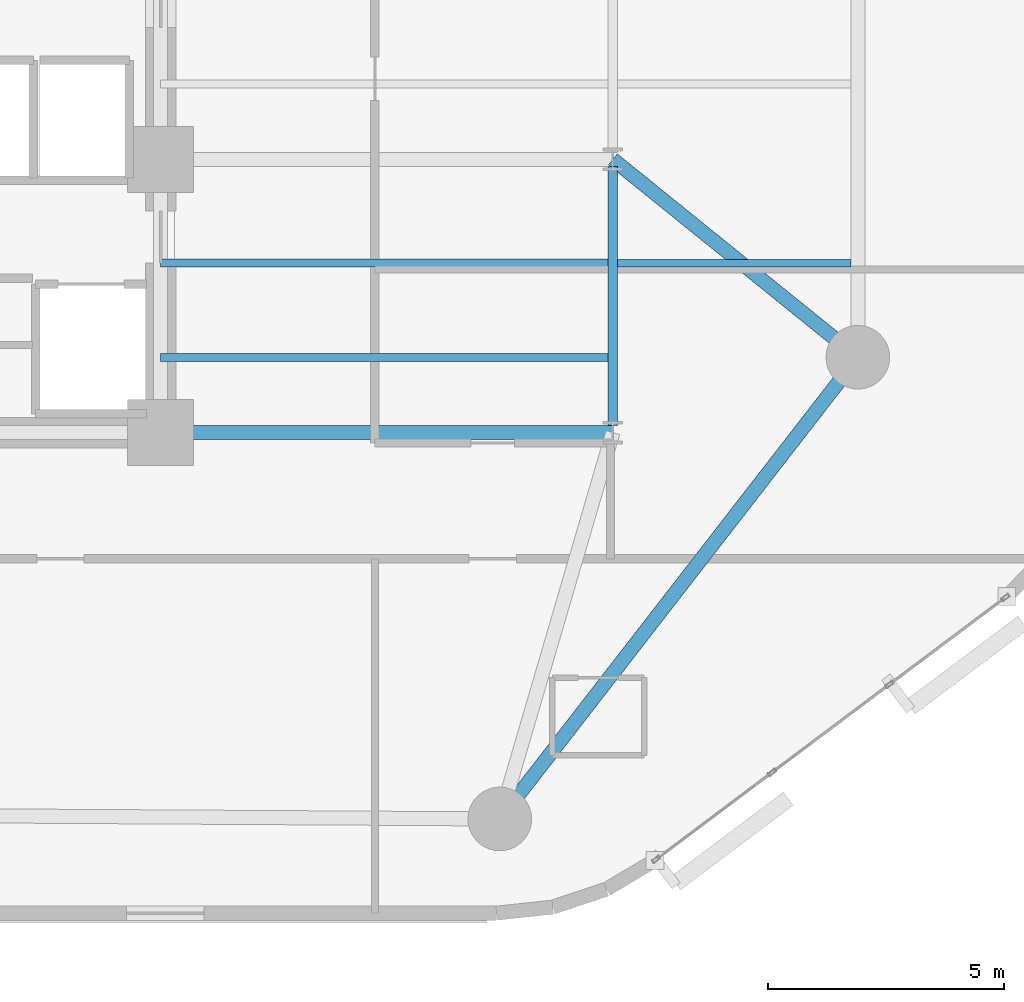
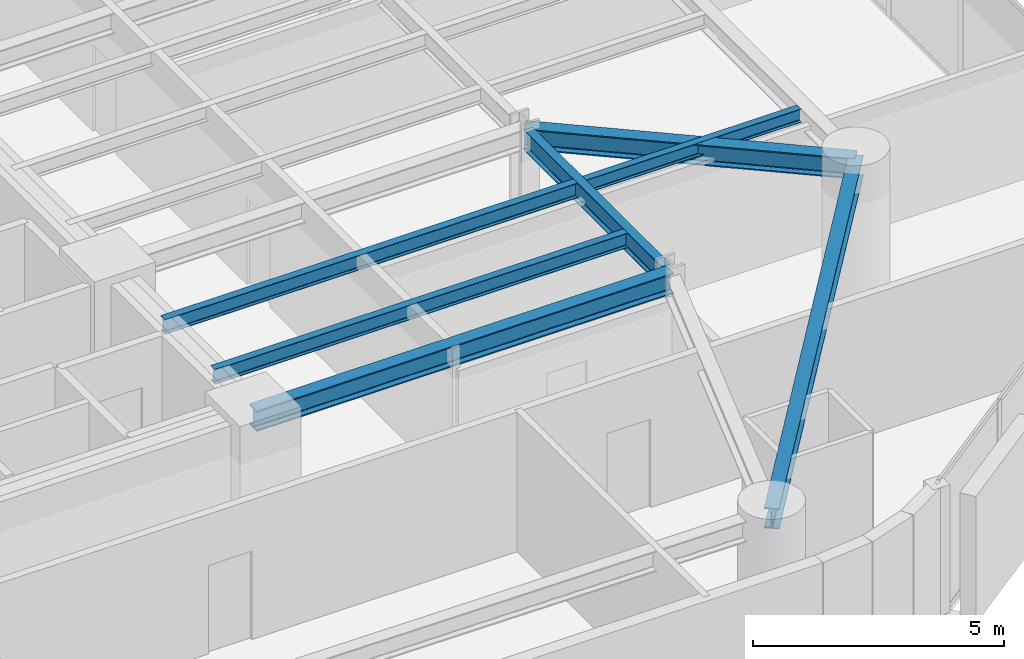
# One storey, part 3 of 15: 7 beams.
"""IFC4 building model written with IfcOpenShell, lengths in metres."""

import ifcopenshell
import ifcopenshell.guid

model = None  # the IFC model being written
_history = None  # IfcOwnerHistory: only IFC2X3 demands one
_inside = {}  # id of a spatial element -> (the spatial element, [elements in it])
_under = {}  # id of a project, library or spatial element -> (it, [spatial elements below it])
_declared = {}  # id of a project -> (the project, [libraries it declares])
_typed = {}  # id of a type object -> (the type object, [elements of that type])
_made_of = {}  # id of a material, layer set ... -> (it, [elements and type objects made of it])


def new_model(schema):
    """Start an empty IFC model of exactly this schema.

    Asked for "IFC4X3", IfcOpenShell would pick the latest addendum, in which some entities
    have other attributes; the version numbers below select the first issue.
    IFC2X3 requires an IfcOwnerHistory on every rooted entity: one is made here for all.
    """
    global model, _history
    if schema == "IFC4X3":
        model = ifcopenshell.file(schema_version=(4, 3, 0, 0))
    else:
        model = ifcopenshell.file(schema=schema)
    _inside.clear()
    _under.clear()
    _declared.clear()
    _typed.clear()
    _made_of.clear()
    _history = None
    if model.schema == "IFC2X3":
        org = make("IfcOrganization", Name="unknown")
        user = make(
            "IfcPersonAndOrganization",
            ThePerson=make("IfcPerson", FamilyName="unknown"),
            TheOrganization=org,
        )
        app = make(
            "IfcApplication",
            ApplicationDeveloper=org,
            Version="unknown",
            ApplicationFullName="unknown",
            ApplicationIdentifier="unknown",
        )
        _history = make(
            "IfcOwnerHistory",
            OwningUser=user,
            OwningApplication=app,
            ChangeAction="ADDED",
            CreationDate=0,
        )
    return model


def make(cls, **values):
    """One entity of the class cls with the attributes given. An attribute that is None is left unset."""
    return model.create_entity(
        cls, **{name: value for name, value in values.items() if value is not None}
    )


def rooted(cls, **values):
    """An entity with a GlobalId (a new one), such as an element, a storey or a relation."""
    return make(cls, GlobalId=ifcopenshell.guid.new(), OwnerHistory=_history, **values)


def si_unit(unit_type, name, prefix=None):
    """IfcSIUnit, for example si_unit("LENGTHUNIT", "METRE", prefix="MILLI")."""
    return make("IfcSIUnit", UnitType=unit_type, Prefix=prefix, Name=name)


def assignment(units):
    """IfcUnitAssignment: the units of a project."""
    return None if units is None else make("IfcUnitAssignment", Units=units)


def point(xyz):
    """IfcCartesianPoint."""
    return None if xyz is None else make("IfcCartesianPoint", Coordinates=xyz)


def direction(xyz):
    """IfcDirection."""
    return None if xyz is None else make("IfcDirection", DirectionRatios=xyz)


def frame(location, z_axis=None, x_axis=None):
    """IfcAxis2Placement3D, a coordinate frame: its origin and axes. An axis left out is left unset."""
    return make(
        "IfcAxis2Placement3D",
        Location=point(location),
        Axis=direction(z_axis),
        RefDirection=direction(x_axis),
    )


def frame_2d(location, x_axis=None):
    """IfcAxis2Placement2D, a coordinate frame in the plane: its origin and x axis."""
    return make(
        "IfcAxis2Placement2D", Location=point(location), RefDirection=direction(x_axis)
    )


def origin():
    """The frame at (0, 0, 0) with its axes left unset."""
    return frame((0.0, 0.0, 0.0))


def origin_2d():
    """The frame at (0, 0) in the plane with its x axis left unset."""
    return frame_2d((0.0, 0.0))


def place(relative_to, where):
    """IfcLocalPlacement: puts the frame where relative to a parent placement (None: the world)."""
    return make(
        "IfcLocalPlacement", PlacementRelTo=relative_to, RelativePlacement=where
    )


def context(
    kind, dimensions, precision=None, world=None, true_north=None, identifier=None
):
    """IfcGeometricRepresentationContext, for example the 3D "Model" context."""
    return make(
        "IfcGeometricRepresentationContext",
        ContextIdentifier=identifier,
        ContextType=kind,
        CoordinateSpaceDimension=dimensions,
        Precision=precision,
        WorldCoordinateSystem=world,
        TrueNorth=true_north,
    )


def subcontext(parent, identifier, kind, view, scale=None):
    """IfcGeometricRepresentationSubContext, for example "Body" below "Model"."""
    return make(
        "IfcGeometricRepresentationSubContext",
        ContextIdentifier=identifier,
        ContextType=kind,
        ParentContext=parent,
        TargetScale=scale,
        TargetView=view,
    )


def project(units=None, contexts=None):
    """IfcProject with its units and contexts."""
    return rooted(
        "IfcProject",
        Name="project",
        RepresentationContexts=contexts,
        UnitsInContext=assignment(units),
    )


def spatial(cls, under=None, at=None, **own):
    """A site, building, storey or space (cls), placed at a placement, below another one or the project."""
    s = rooted(cls, ObjectPlacement=at, **own)
    if under is not None:
        _under.setdefault(under.id(), (under, []))[1].append(s)
    return s


def profile(cls, at=None, kind="AREA", **sizes):
    """A parametric profile (cls). Its sizes go by their IFC names, for example OverallWidth=200.0."""
    return make(cls, ProfileType=kind, Position=at, **sizes)


def i_section(**sizes):
    """IfcIShapeProfileDef."""
    return profile("IfcIShapeProfileDef", **sizes)


def extrude(swept, where, along, depth):
    """IfcExtrudedAreaSolid: the profile swept, set in the frame where, extruded along a direction by depth."""
    return make(
        "IfcExtrudedAreaSolid",
        SweptArea=swept,
        Position=where,
        ExtrudedDirection=direction(along),
        Depth=depth,
    )


def shape(context_of_items, identifier, shape_type, items):
    """IfcShapeRepresentation: the items that make up one representation, for example the "Body"."""
    return make(
        "IfcShapeRepresentation",
        ContextOfItems=context_of_items,
        RepresentationIdentifier=identifier,
        RepresentationType=shape_type,
        Items=items,
    )


def material(Name=None, Category=None):
    """IfcMaterial."""
    return make("IfcMaterial", Name=Name, Category=Category)


def material_profile(
    of_material, cross_section, Name=None, Category=None, Priority=None
):
    """IfcMaterialProfile: a cross section and its material."""
    return make(
        "IfcMaterialProfile",
        Name=Name,
        Material=of_material,
        Profile=cross_section,
        Priority=Priority,
        Category=Category,
    )


def profile_set(profiles, Name=None, composite=None):
    """IfcMaterialProfileSet."""
    return make(
        "IfcMaterialProfileSet",
        Name=Name,
        MaterialProfiles=profiles,
        CompositeProfile=composite,
    )


def made_of(thing, what):
    """Note that an element or type object is made of a material, layer set ...; save() writes the relation."""
    if what is not None:
        _made_of.setdefault(what.id(), (what, []))[1].append(thing)
    return thing


def type_object(cls, material=None, **own):
    """A type object (cls), such as IfcWallType, which elements share."""
    return made_of(rooted(cls, **own), material)


def element(
    cls,
    number,
    at=None,
    inside=None,
    cuts=None,
    type_object=None,
    material=None,
    context=None,
    identifier="Body",
    shape_type=None,
    held_by="IfcProductDefinitionShape",
    body=None,
    shapes=None,
    **own,
):
    """One element of the class cls, such as IfcWall. Its Tag is "e" and its number.

    at: its placement. inside: the storey or other place that contains it. cuts: it is an
    opening in that element (IfcRelVoidsElement). A single representation is given by context,
    identifier, shape_type and body (its items); several are given by shapes. held_by: the class
    of the entity that holds the representations. save() writes the other relations.
    """
    e = rooted(cls, Tag="e%d" % number, ObjectPlacement=at, **own)
    if body is not None:
        shapes = [shape(context, identifier, shape_type, body)]
    if shapes is not None:
        e.Representation = make(held_by, Representations=shapes)
    if inside is not None:
        _inside.setdefault(inside.id(), (inside, []))[1].append(e)
    if cuts is not None:
        rooted(
            "IfcRelVoidsElement", RelatingBuildingElement=cuts, RelatedOpeningElement=e
        )
    if type_object is not None:
        _typed.setdefault(type_object.id(), (type_object, []))[1].append(e)
    return made_of(e, material)


def aggregate(whole, parts):
    """IfcRelAggregates: a whole, such as a stair, and the parts it consists of."""
    return rooted("IfcRelAggregates", RelatingObject=whole, RelatedObjects=parts)


def save(model, path):
    """Write the relations noted so far, then the file.

    IfcRelAggregates (storeys below a building ...), IfcRelContainedInSpatialStructure (elements
    in a storey), IfcRelDefinesByType, IfcRelAssociatesMaterial and IfcRelDeclares: one each for
    every whole, place, type object, material and project.
    """
    for whole, parts in _under.values():
        aggregate(whole, parts)
    for where, things in _inside.values():
        rooted(
            "IfcRelContainedInSpatialStructure",
            RelatedElements=things,
            RelatingStructure=where,
        )
    for kind, things in _typed.values():
        rooted("IfcRelDefinesByType", RelatedObjects=things, RelatingType=kind)
    for what, things in _made_of.values():
        rooted("IfcRelAssociatesMaterial", RelatedObjects=things, RelatingMaterial=what)
    for by, libraries in _declared.values():
        rooted("IfcRelDeclares", RelatingContext=by, RelatedDefinitions=libraries)
    model.write(path)


model = new_model("IFC4")

# Units and contexts
model_context = context("Model", 3, precision=1e-05, world=origin(), true_north=direction((0.0, 1.0)))
body_context = subcontext(model_context, "Body", "Model", "MODEL_VIEW")
ifc_project = project(units=[si_unit("LENGTHUNIT", "METRE"), si_unit("AREAUNIT", "SQUARE_METRE"), si_unit("VOLUMEUNIT", "CUBIC_METRE"), si_unit("PLANEANGLEUNIT", "RADIAN"), si_unit("MASSUNIT", "GRAM", prefix="KILO")], contexts=[model_context])

# Site, building, storey
site_placement = place(None, origin())
site = spatial("IfcSite", under=ifc_project, at=site_placement, CompositionType="ELEMENT")
building_placement = place(site_placement, origin())
building = spatial("IfcBuilding", under=site, at=building_placement, Name="An Khanh Terracotta Commons", CompositionType="ELEMENT")
storey_placement = place(building_placement, frame((0.0, 0.0, 122.300048828125)))
storey = spatial("IfcBuildingStorey", under=building, at=storey_placement, Name="L32", CompositionType="ELEMENT", Elevation=122.300048828125)

# Beams
ifc_material = material(Name="Steel S355J2", Category="steel")
ifc_material_profile_1 = material_profile(ifc_material, i_section(OverallWidth=0.300048828125, OverallDepth=0.5, WebThickness=0.014404296875, FlangeThickness=0.028076171875, FilletRadius=0.027099609375, at=origin_2d()), Name="HEB500")
ifc_profile_set_1 = profile_set([ifc_material_profile_1], Name="Steel S355J2")
beam_type_1 = type_object("IfcBeamType", Name="BM-HEB500", PredefinedType="BEAM", material=ifc_profile_set_1)
beam_1_placement = place(storey_placement, frame((44.39990234375, 6.199951171875, 3.14990234375), z_axis=(0.612826529795, 0.790217466511, 0.0), x_axis=(-0.790217466511, 0.612826529795, 0.0)))
element("IfcBeam", 1, at=beam_1_placement, inside=storey, type_object=beam_type_1, Name="L32 Perimeter Ring Spandrel 2", PredefinedType="BEAM", context=body_context, shape_type="SweptSolid", body=[
    extrude(i_section(OverallWidth=0.300048828125, OverallDepth=0.5, WebThickness=0.014404296875, FlangeThickness=0.028076171875, FilletRadius=0.027099609375, at=origin_2d()), origin(), (0.0, 0.0, 1.0), 12.401611328125),
])
beam_2_placement = place(storey_placement, frame((37.199951171875, 14.39990234375, 3.14990234375), z_axis=(1.0, 0.0, 0.0), x_axis=(0.0, 1.0, 0.0)))
element("IfcBeam", 2, at=beam_2_placement, inside=storey, type_object=beam_type_1, Name="L32 East Primary Floor Girder 1", PredefinedType="BEAM", context=body_context, shape_type="SweptSolid", body=[
    extrude(i_section(OverallWidth=0.300048828125, OverallDepth=0.5, WebThickness=0.014404296875, FlangeThickness=0.028076171875, FilletRadius=0.027099609375, at=origin_2d()), origin(), (0.0, 0.0, 1.0), 9.60009765625),
])
beam_3_placement = place(storey_placement, frame((52.0, 16.0, 3.14990234375), z_axis=(-0.777941866883, 0.628336256913, 0.0), x_axis=(-0.628336256913, -0.777941866883, 0.0)))
element("IfcBeam", 3, at=beam_3_placement, inside=storey, type_object=beam_type_1, Name="L32 Mega-Column Tie Girder 3", PredefinedType="BEAM", context=body_context, shape_type="SweptSolid", body=[
    extrude(i_section(OverallWidth=0.300048828125, OverallDepth=0.5, WebThickness=0.014404296875, FlangeThickness=0.028076171875, FilletRadius=0.027099609375, at=origin_2d()), origin(), (0.0, 0.0, 1.0), 6.684326171875),
])
ifc_material_profile_2 = material_profile(ifc_material, i_section(OverallWidth=0.159912109375, OverallDepth=0.330078125, WebThickness=0.007568359375, FlangeThickness=0.011474609375, FilletRadius=0.01806640625, at=origin_2d()), Name="IPE330")
ifc_profile_set_2 = profile_set([ifc_material_profile_2], Name="Steel S355J2")
beam_type_2 = type_object("IfcBeamType", Name="BM-IPE330", PredefinedType="JOIST", material=ifc_profile_set_2)
beam_4_placement = place(storey_placement, frame((46.89990234375, 18.0, 3.23486328125), z_axis=(1.0, 0.0, 0.0), x_axis=(0.0, 1.0, 0.0)))
element("IfcBeam", 4, at=beam_4_placement, inside=storey, type_object=beam_type_2, Name="L32 Riverfront Composite Joist 2", PredefinedType="JOIST", context=body_context, shape_type="SweptSolid", body=[
    extrude(i_section(OverallWidth=0.159912109375, OverallDepth=0.330078125, WebThickness=0.007568359375, FlangeThickness=0.011474609375, FilletRadius=0.01806640625, at=origin_2d()), origin(), (0.0, 0.0, 1.0), 4.9501953125),
])
ifc_material_profile_3 = material_profile(ifc_material, i_section(OverallWidth=0.169921875, OverallDepth=0.360107421875, WebThickness=0.008056640625, FlangeThickness=0.0126953125, FilletRadius=0.01806640625, at=origin_2d()), Name="IPE360")
ifc_profile_set_3 = profile_set([ifc_material_profile_3], Name="Steel S355J2")
beam_type_3 = type_object("IfcBeamType", Name="BM-IPE360", PredefinedType="JOIST", material=ifc_profile_set_3)
for number, where, z_axis, x_axis, name in (
    (5, (37.199951171875, 16.0, 3.219970703125), (1.0, 0.0, 0.0), (0.0, 1.0, 0.0), "L32 Inboard Composite Joist 1"),
    (6, (37.199951171875, 18.0, 3.219970703125), (1.0, 0.0, 0.0), (0.0, 1.0, 0.0), "L32 Inboard Composite Joist 2"),
):
    element("IfcBeam", number, at=place(storey_placement, frame(where, z_axis=z_axis, x_axis=x_axis)), inside=storey, type_object=beam_type_3, Name=name, PredefinedType="JOIST", context=body_context, shape_type="SweptSolid", body=[
        extrude(i_section(OverallWidth=0.169921875, OverallDepth=0.360107421875, WebThickness=0.008056640625, FlangeThickness=0.0126953125, FilletRadius=0.01806640625, at=origin_2d()), origin(), (0.0, 0.0, 1.0), 9.5),
    ])
ifc_material_profile_4 = material_profile(ifc_material, i_section(OverallWidth=0.199951171875, OverallDepth=0.5, WebThickness=0.01025390625, FlangeThickness=0.01611328125, FilletRadius=0.02099609375, at=origin_2d()), Name="IPE500")
ifc_profile_set_4 = profile_set([ifc_material_profile_4], Name="Steel S355J2")
beam_type_4 = type_object("IfcBeamType", Name="BM-IPE500", PredefinedType="BEAM", material=ifc_profile_set_4)
beam_5_placement = place(storey_placement, frame((46.800048828125, 14.550048828125, 3.14990234375), z_axis=(0.0, 1.0, 0.0), x_axis=(-1.0, 0.0, 0.0)))
element("IfcBeam", 7, at=beam_5_placement, inside=storey, type_object=beam_type_4, Name="L32 East Spine Girder 1", PredefinedType="BEAM", context=body_context, shape_type="SweptSolid", body=[
    extrude(i_section(OverallWidth=0.199951171875, OverallDepth=0.5, WebThickness=0.01025390625, FlangeThickness=0.01611328125, FilletRadius=0.02099609375, at=origin_2d()), origin(), (0.0, 0.0, 1.0), 5.5),
])

save(model, "model.ifc")
